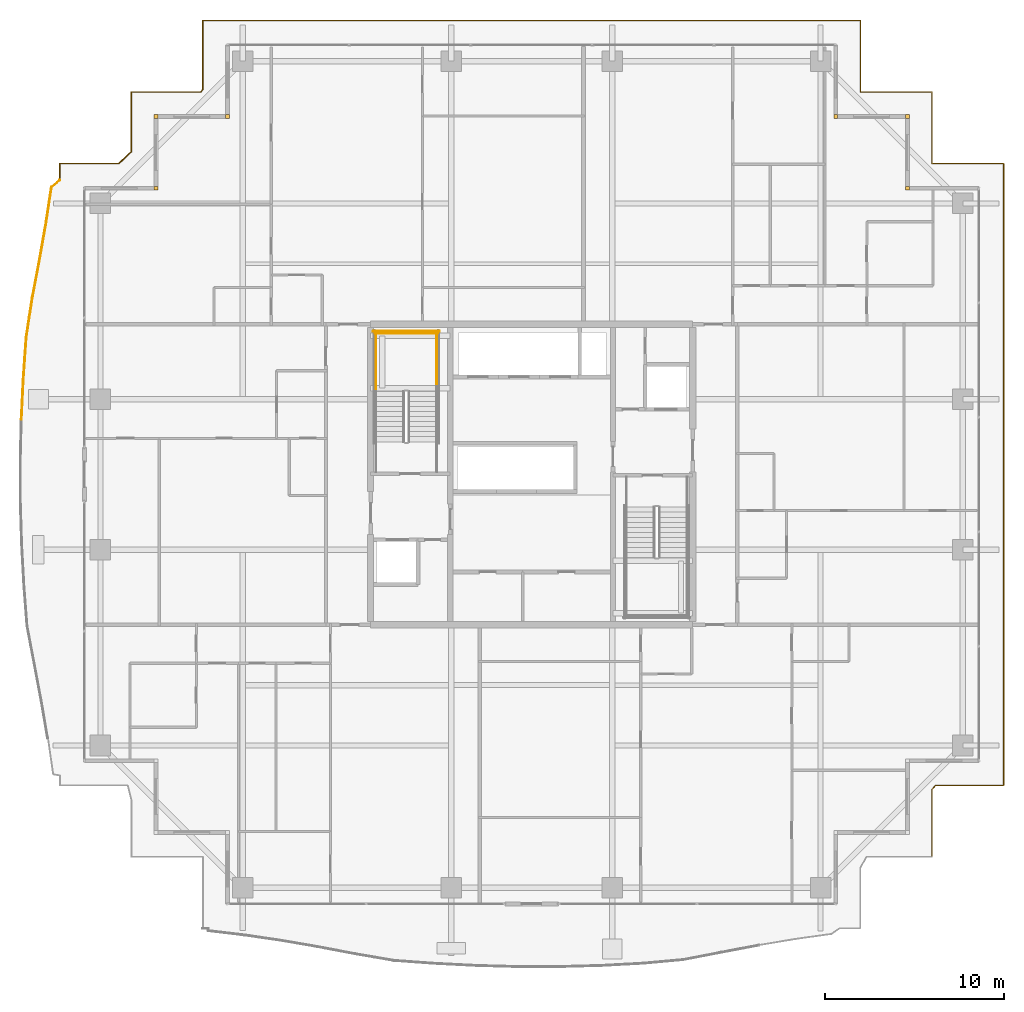
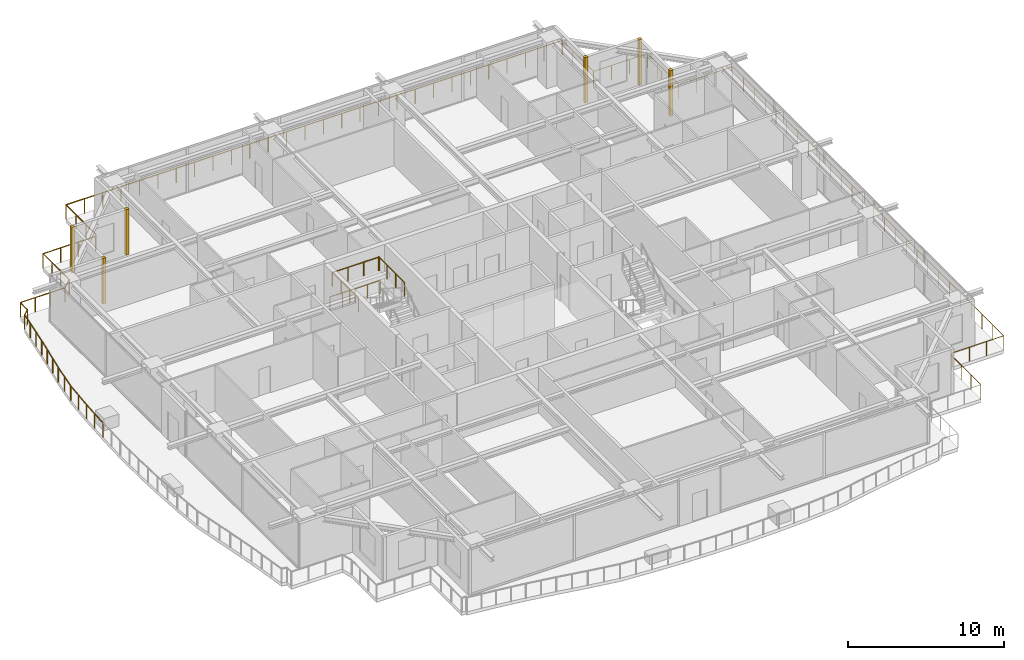
# One storey, part 35 of 35: 7 railings, 6 coverings.
"""IFC4 building model written with IfcOpenShell, lengths in metres."""

import ifcopenshell
import ifcopenshell.guid

model = None  # the IFC model being written
_history = None  # IfcOwnerHistory: only IFC2X3 demands one
_inside = {}  # id of a spatial element -> (the spatial element, [elements in it])
_under = {}  # id of a project, library or spatial element -> (it, [spatial elements below it])
_declared = {}  # id of a project -> (the project, [libraries it declares])
_typed = {}  # id of a type object -> (the type object, [elements of that type])
_made_of = {}  # id of a material, layer set ... -> (it, [elements and type objects made of it])


def new_model(schema):
    """Start an empty IFC model of exactly this schema.

    Asked for "IFC4X3", IfcOpenShell would pick the latest addendum, in which some entities
    have other attributes; the version numbers below select the first issue.
    IFC2X3 requires an IfcOwnerHistory on every rooted entity: one is made here for all.
    """
    global model, _history
    if schema == "IFC4X3":
        model = ifcopenshell.file(schema_version=(4, 3, 0, 0))
    else:
        model = ifcopenshell.file(schema=schema)
    _inside.clear()
    _under.clear()
    _declared.clear()
    _typed.clear()
    _made_of.clear()
    _history = None
    if model.schema == "IFC2X3":
        org = make("IfcOrganization", Name="unknown")
        user = make(
            "IfcPersonAndOrganization",
            ThePerson=make("IfcPerson", FamilyName="unknown"),
            TheOrganization=org,
        )
        app = make(
            "IfcApplication",
            ApplicationDeveloper=org,
            Version="unknown",
            ApplicationFullName="unknown",
            ApplicationIdentifier="unknown",
        )
        _history = make(
            "IfcOwnerHistory",
            OwningUser=user,
            OwningApplication=app,
            ChangeAction="ADDED",
            CreationDate=0,
        )
    return model


def make(cls, **values):
    """One entity of the class cls with the attributes given. An attribute that is None is left unset."""
    return model.create_entity(
        cls, **{name: value for name, value in values.items() if value is not None}
    )


def rooted(cls, **values):
    """An entity with a GlobalId (a new one), such as an element, a storey or a relation."""
    return make(cls, GlobalId=ifcopenshell.guid.new(), OwnerHistory=_history, **values)


def si_unit(unit_type, name, prefix=None):
    """IfcSIUnit, for example si_unit("LENGTHUNIT", "METRE", prefix="MILLI")."""
    return make("IfcSIUnit", UnitType=unit_type, Prefix=prefix, Name=name)


def assignment(units):
    """IfcUnitAssignment: the units of a project."""
    return None if units is None else make("IfcUnitAssignment", Units=units)


def point(xyz):
    """IfcCartesianPoint."""
    return None if xyz is None else make("IfcCartesianPoint", Coordinates=xyz)


def direction(xyz):
    """IfcDirection."""
    return None if xyz is None else make("IfcDirection", DirectionRatios=xyz)


def frame(location, z_axis=None, x_axis=None):
    """IfcAxis2Placement3D, a coordinate frame: its origin and axes. An axis left out is left unset."""
    return make(
        "IfcAxis2Placement3D",
        Location=point(location),
        Axis=direction(z_axis),
        RefDirection=direction(x_axis),
    )


def frame_2d(location, x_axis=None):
    """IfcAxis2Placement2D, a coordinate frame in the plane: its origin and x axis."""
    return make(
        "IfcAxis2Placement2D", Location=point(location), RefDirection=direction(x_axis)
    )


def origin():
    """The frame at (0, 0, 0) with its axes left unset."""
    return frame((0.0, 0.0, 0.0))


def origin_2d():
    """The frame at (0, 0) in the plane with its x axis left unset."""
    return frame_2d((0.0, 0.0))


def place(relative_to, where):
    """IfcLocalPlacement: puts the frame where relative to a parent placement (None: the world)."""
    return make(
        "IfcLocalPlacement", PlacementRelTo=relative_to, RelativePlacement=where
    )


def context(
    kind, dimensions, precision=None, world=None, true_north=None, identifier=None
):
    """IfcGeometricRepresentationContext, for example the 3D "Model" context."""
    return make(
        "IfcGeometricRepresentationContext",
        ContextIdentifier=identifier,
        ContextType=kind,
        CoordinateSpaceDimension=dimensions,
        Precision=precision,
        WorldCoordinateSystem=world,
        TrueNorth=true_north,
    )


def subcontext(parent, identifier, kind, view, scale=None):
    """IfcGeometricRepresentationSubContext, for example "Body" below "Model"."""
    return make(
        "IfcGeometricRepresentationSubContext",
        ContextIdentifier=identifier,
        ContextType=kind,
        ParentContext=parent,
        TargetScale=scale,
        TargetView=view,
    )


def project(units=None, contexts=None):
    """IfcProject with its units and contexts."""
    return rooted(
        "IfcProject",
        Name="project",
        RepresentationContexts=contexts,
        UnitsInContext=assignment(units),
    )


def spatial(cls, under=None, at=None, **own):
    """A site, building, storey or space (cls), placed at a placement, below another one or the project."""
    s = rooted(cls, ObjectPlacement=at, **own)
    if under is not None:
        _under.setdefault(under.id(), (under, []))[1].append(s)
    return s


def profile(cls, at=None, kind="AREA", **sizes):
    """A parametric profile (cls). Its sizes go by their IFC names, for example OverallWidth=200.0."""
    return make(cls, ProfileType=kind, Position=at, **sizes)


def rectangle(**sizes):
    """IfcRectangleProfileDef."""
    return profile("IfcRectangleProfileDef", **sizes)


def circle(**sizes):
    """IfcCircleProfileDef."""
    return profile("IfcCircleProfileDef", **sizes)


def extrude(swept, where, along, depth):
    """IfcExtrudedAreaSolid: the profile swept, set in the frame where, extruded along a direction by depth."""
    return make(
        "IfcExtrudedAreaSolid",
        SweptArea=swept,
        Position=where,
        ExtrudedDirection=direction(along),
        Depth=depth,
    )


def shape(context_of_items, identifier, shape_type, items):
    """IfcShapeRepresentation: the items that make up one representation, for example the "Body"."""
    return make(
        "IfcShapeRepresentation",
        ContextOfItems=context_of_items,
        RepresentationIdentifier=identifier,
        RepresentationType=shape_type,
        Items=items,
    )


def source(mapping_origin, context_of_items, identifier, shape_type, items):
    """IfcRepresentationMap: a shape defined once, which mapped items show again and again."""
    return make(
        "IfcRepresentationMap",
        MappingOrigin=mapping_origin,
        MappedRepresentation=shape(context_of_items, identifier, shape_type, items),
    )


def transform(
    local_origin,
    x_axis=None,
    y_axis=None,
    z_axis=None,
    scale=None,
    scale2=None,
    scale3=None,
    uniform=True,
):
    """IfcCartesianTransformationOperator3D, or its non-uniform kind. x_axis, y_axis, z_axis: its Axis1, 2, 3."""
    if uniform:
        return make(
            "IfcCartesianTransformationOperator3D",
            Axis1=direction(x_axis),
            Axis2=direction(y_axis),
            LocalOrigin=point(local_origin),
            Scale=scale,
            Axis3=direction(z_axis),
        )
    return make(
        "IfcCartesianTransformationOperator3DnonUniform",
        Axis1=direction(x_axis),
        Axis2=direction(y_axis),
        LocalOrigin=point(local_origin),
        Scale=scale,
        Axis3=direction(z_axis),
        Scale2=scale2,
        Scale3=scale3,
    )


def mapped(mapping_source, mapping_target):
    """IfcMappedItem: shows the shape of a source again, moved by a transform."""
    return make(
        "IfcMappedItem", MappingSource=mapping_source, MappingTarget=mapping_target
    )


def material(Name=None, Category=None):
    """IfcMaterial."""
    return make("IfcMaterial", Name=Name, Category=Category)


def layer(
    of_material, thickness, ventilated=None, Name=None, Category=None, Priority=None
):
    """IfcMaterialLayer: one layer of a wall or slab, of a material (None: an air gap)."""
    return make(
        "IfcMaterialLayer",
        Material=of_material,
        LayerThickness=thickness,
        IsVentilated=ventilated,
        Name=Name,
        Category=Category,
        Priority=Priority,
    )


def layer_set(layers, Name=None):
    """IfcMaterialLayerSet."""
    return make("IfcMaterialLayerSet", MaterialLayers=layers, LayerSetName=Name)


def made_of(thing, what):
    """Note that an element or type object is made of a material, layer set ...; save() writes the relation."""
    if what is not None:
        _made_of.setdefault(what.id(), (what, []))[1].append(thing)
    return thing


def type_object(cls, material=None, **own):
    """A type object (cls), such as IfcWallType, which elements share."""
    return made_of(rooted(cls, **own), material)


def element(
    cls,
    number,
    at=None,
    inside=None,
    cuts=None,
    type_object=None,
    material=None,
    context=None,
    identifier="Body",
    shape_type=None,
    held_by="IfcProductDefinitionShape",
    body=None,
    shapes=None,
    **own,
):
    """One element of the class cls, such as IfcWall. Its Tag is "e" and its number.

    at: its placement. inside: the storey or other place that contains it. cuts: it is an
    opening in that element (IfcRelVoidsElement). A single representation is given by context,
    identifier, shape_type and body (its items); several are given by shapes. held_by: the class
    of the entity that holds the representations. save() writes the other relations.
    """
    e = rooted(cls, Tag="e%d" % number, ObjectPlacement=at, **own)
    if body is not None:
        shapes = [shape(context, identifier, shape_type, body)]
    if shapes is not None:
        e.Representation = make(held_by, Representations=shapes)
    if inside is not None:
        _inside.setdefault(inside.id(), (inside, []))[1].append(e)
    if cuts is not None:
        rooted(
            "IfcRelVoidsElement", RelatingBuildingElement=cuts, RelatedOpeningElement=e
        )
    if type_object is not None:
        _typed.setdefault(type_object.id(), (type_object, []))[1].append(e)
    return made_of(e, material)


def aggregate(whole, parts):
    """IfcRelAggregates: a whole, such as a stair, and the parts it consists of."""
    return rooted("IfcRelAggregates", RelatingObject=whole, RelatedObjects=parts)


def save(model, path):
    """Write the relations noted so far, then the file.

    IfcRelAggregates (storeys below a building ...), IfcRelContainedInSpatialStructure (elements
    in a storey), IfcRelDefinesByType, IfcRelAssociatesMaterial and IfcRelDeclares: one each for
    every whole, place, type object, material and project.
    """
    for whole, parts in _under.values():
        aggregate(whole, parts)
    for where, things in _inside.values():
        rooted(
            "IfcRelContainedInSpatialStructure",
            RelatedElements=things,
            RelatingStructure=where,
        )
    for kind, things in _typed.values():
        rooted("IfcRelDefinesByType", RelatedObjects=things, RelatingType=kind)
    for what, things in _made_of.values():
        rooted("IfcRelAssociatesMaterial", RelatedObjects=things, RelatingMaterial=what)
    for by, libraries in _declared.values():
        rooted("IfcRelDeclares", RelatingContext=by, RelatedDefinitions=libraries)
    model.write(path)


model = new_model("IFC4")

# Units and contexts
model_context = context("Model", 3, precision=1e-05, world=origin(), true_north=direction((0.0, 1.0)))
body_context = subcontext(model_context, "Body", "Model", "MODEL_VIEW")
ifc_project = project(units=[si_unit("LENGTHUNIT", "METRE"), si_unit("AREAUNIT", "SQUARE_METRE"), si_unit("VOLUMEUNIT", "CUBIC_METRE"), si_unit("PLANEANGLEUNIT", "RADIAN"), si_unit("MASSUNIT", "GRAM", prefix="KILO")], contexts=[model_context])

# Site, building, storey
site_placement = place(None, origin())
site = spatial("IfcSite", under=ifc_project, at=site_placement, CompositionType="ELEMENT")
building_placement = place(site_placement, origin())
building = spatial("IfcBuilding", under=site, at=building_placement, Name="Serunith Strait Residences", CompositionType="ELEMENT")
storey_placement = place(building_placement, frame((0.0, 0.0, 210.449951171875)))
storey = spatial("IfcBuildingStorey", under=building, at=storey_placement, Name="L52", CompositionType="ELEMENT", Elevation=210.449951171875)

# Railings
ifc_material_1 = material(Name="Stainless Steel & Laminated Glass Balustrade", Category="steel")
railing_type_1 = type_object("IfcRailingType", Name="RLG-BALC-1150", PredefinedType="BALUSTRADE", material=ifc_material_1)
railing_1_placement = place(storey_placement, frame((3.88232421875, 28.289306640625, -0.050048828125)))
element("IfcRailing", 1, at=railing_1_placement, inside=storey, type_object=railing_type_1, Name="L52 Swirling Balcony Perimeter Balustrade 3", PredefinedType="BALUSTRADE", context=body_context, shape_type="SweptSolid", body=[
    extrude(circle(Radius=0.02392578125, at=origin_2d()), frame((0.0, 0.001953125, 1.1259765625), z_axis=(0.048820260477, 0.998807580151, 0.0), x_axis=(-0.998807580151, 0.048820260477, 0.0)), (0.0, 0.0, 1.0), 2.306396484375),
    extrude(circle(Radius=0.02392578125, at=origin_2d()), frame((0.113037109375, 2.3095703125, 1.1259765625), z_axis=(0.069756729847, 0.997564032351, 0.0), x_axis=(-0.997564032351, 0.069756729847, 0.0)), (0.0, 0.0, 1.0), 2.27783203125),
    extrude(circle(Radius=0.02392578125, at=origin_2d()), frame((0.272216796875, 4.5859375, 1.1259765625), z_axis=(0.151974309737, 0.98838444402, 0.0), x_axis=(-0.98838444402, 0.151974309737, 0.0)), (0.0, 0.0, 1.0), 2.209716796875),
    extrude(circle(Radius=0.02392578125, at=origin_2d()), frame((0.60888671875, 6.77392578125, 1.1259765625), z_axis=(0.186839873105, 0.982390381578, 0.0), x_axis=(-0.982390381578, 0.186839873105, 0.0)), (0.0, 0.0, 1.0), 2.138916015625),
    extrude(circle(Radius=0.02392578125, at=origin_2d()), frame((1.009033203125, 8.879150390625, 1.1259765625), z_axis=(0.173159168295, 0.984893853385, 0.0), x_axis=(-0.984893853385, 0.173159168295, 0.0)), (0.0, 0.0, 1.0), 2.0869140625),
    extrude(circle(Radius=0.02392578125, at=origin_2d()), frame((1.37109375, 10.9384765625, 1.1259765625), z_axis=(0.150111437986, 0.988669083256, 0.0), x_axis=(-0.988669083256, 0.150111437986, 0.0)), (0.0, 0.0, 1.0), 2.0517578125),
    extrude(circle(Radius=0.02392578125, at=origin_2d()), frame((1.680908203125, 12.97021484375, 1.1259765625), z_axis=(0.764837226142, 0.644223577267, 0.0), x_axis=(-0.644223577267, 0.764837226142, 0.0)), (0.0, 0.0, 1.0), 0.59521484375),
    extrude(circle(Radius=0.02099609375, at=origin_2d()), origin(), (0.0, 0.0, 1.0), 1.099853515625),
    extrude(circle(Radius=0.02099609375, at=origin_2d()), frame((0.056396484375, 1.15380859375, 0.0)), (0.0, 0.0, 1.0), 1.099853515625),
    extrude(circle(Radius=0.02099609375, at=origin_2d()), frame((0.11279296875, 2.3076171875, 0.0)), (0.0, 0.0, 1.0), 1.099853515625),
    extrude(circle(Radius=0.02099609375, at=origin_2d()), frame((0.1923828125, 3.44580078125, 0.0)), (0.0, 0.0, 1.0), 1.099853515625),
    extrude(circle(Radius=0.02099609375, at=origin_2d()), frame((0.27197265625, 4.583984375, 0.0)), (0.0, 0.0, 1.0), 1.099853515625),
    extrude(circle(Radius=0.02099609375, at=origin_2d()), frame((0.440185546875, 5.677978515625, 0.0)), (0.0, 0.0, 1.0), 1.099853515625),
    extrude(circle(Radius=0.02099609375, at=origin_2d()), frame((0.6083984375, 6.77197265625, 0.0)), (0.0, 0.0, 1.0), 1.099853515625),
    extrude(circle(Radius=0.02099609375, at=origin_2d()), frame((0.80859375, 7.82470703125, 0.0)), (0.0, 0.0, 1.0), 1.099853515625),
    extrude(circle(Radius=0.02099609375, at=origin_2d()), frame((1.0087890625, 8.877197265625, 0.0)), (0.0, 0.0, 1.0), 1.099853515625),
    extrude(circle(Radius=0.02099609375, at=origin_2d()), frame((1.18994140625, 9.90673828125, 0.0)), (0.0, 0.0, 1.0), 1.099853515625),
    extrude(circle(Radius=0.02099609375, at=origin_2d()), frame((1.370849609375, 10.9365234375, 0.0)), (0.0, 0.0, 1.0), 1.099853515625),
    extrude(circle(Radius=0.02099609375, at=origin_2d()), frame((1.525146484375, 11.95263671875, 0.0)), (0.0, 0.0, 1.0), 1.099853515625),
    extrude(circle(Radius=0.02099609375, at=origin_2d()), frame((1.679443359375, 12.968994140625, 0.0)), (0.0, 0.0, 1.0), 1.099853515625),
    extrude(circle(Radius=0.02099609375, at=origin_2d()), frame((2.1376953125, 13.35498046875, 0.0)), (0.0, 0.0, 1.0), 1.099853515625),
])
railing_2_placement = place(storey_placement, frame((6.02001953125, 41.644287109375, -0.050048828125)))
element("IfcRailing", 2, at=railing_2_placement, inside=storey, type_object=railing_type_1, Name="L52 Swirling Balcony Perimeter Balustrade 4", PredefinedType="BALUSTRADE", context=body_context, shape_type="SweptSolid", body=[
    extrude(circle(Radius=0.02392578125, at=origin_2d()), frame((0.0, 0.001953125, 1.1259765625), z_axis=(0.0, 1.0, 0.0), x_axis=(-1.0, 0.0, 0.0)), (0.0, 0.0, 1.0), 0.931884765625),
    extrude(circle(Radius=0.02392578125, at=origin_2d()), frame((0.001953125, 0.935791015625, 1.1259765625), z_axis=(1.0, 0.0, 0.0), x_axis=(0.0, 1.0, 0.0)), (0.0, 0.0, 1.0), 3.295654296875),
    extrude(circle(Radius=0.02392578125, at=origin_2d()), frame((3.301025390625, 0.937255859375, 1.1259765625), z_axis=(0.731402754237, 0.681945753777, 0.0), x_axis=(-0.681945753777, 0.731402754237, 0.0)), (0.0, 0.0, 1.0), 0.95361328125),
    extrude(circle(Radius=0.02392578125, at=origin_2d()), frame((4.0, 1.5908203125, 1.1259765625), z_axis=(0.0, 1.0, 0.0), x_axis=(-1.0, 0.0, 0.0)), (0.0, 0.0, 1.0), 3.343017578125),
    extrude(circle(Radius=0.02392578125, at=origin_2d()), frame((4.001953125, 4.935791015625, 1.1259765625), z_axis=(1.0, 0.0, 0.0), x_axis=(0.0, 1.0, 0.0)), (0.0, 0.0, 1.0), 3.89501953125),
    extrude(circle(Radius=0.02392578125, at=origin_2d()), frame((7.89990234375, 4.9375, 1.1259765625), z_axis=(0.547356223896, 0.836899733638, 0.0), x_axis=(-0.836899733638, 0.547356223896, 0.0)), (0.0, 0.0, 1.0), 0.1806640625),
    extrude(circle(Radius=0.02392578125, at=origin_2d()), frame((8.0, 5.09228515625, 1.1259765625), z_axis=(0.0, 1.0, 0.0), x_axis=(-1.0, 0.0, 0.0)), (0.0, 0.0, 1.0), 3.841552734375),
    extrude(circle(Radius=0.02392578125, at=origin_2d()), frame((8.001953125, 8.935791015625, 1.1259765625), z_axis=(1.0, 0.0, 0.0), x_axis=(0.0, 1.0, 0.0)), (0.0, 0.0, 1.0), 36.756103515625),
    extrude(circle(Radius=0.02099609375, at=origin_2d()), origin(), (0.0, 0.0, 1.0), 1.099853515625),
    extrude(circle(Radius=0.02099609375, at=origin_2d()), frame((0.0, 0.935791015625, 0.0)), (0.0, 0.0, 1.0), 1.099853515625),
    extrude(circle(Radius=0.02099609375, at=origin_2d()), frame((1.099853515625, 0.935791015625, 0.0)), (0.0, 0.0, 1.0), 1.099853515625),
    extrude(circle(Radius=0.02099609375, at=origin_2d()), frame((2.19970703125, 0.935791015625, 0.0)), (0.0, 0.0, 1.0), 1.099853515625),
    extrude(circle(Radius=0.02099609375, at=origin_2d()), frame((3.299560546875, 0.935791015625, 0.0)), (0.0, 0.0, 1.0), 1.099853515625),
    extrude(circle(Radius=0.02099609375, at=origin_2d()), frame((4.0, 1.5888671875, 0.0)), (0.0, 0.0, 1.0), 1.099853515625),
    extrude(circle(Radius=0.02099609375, at=origin_2d()), frame((4.0, 2.70458984375, 0.0)), (0.0, 0.0, 1.0), 1.099853515625),
    extrude(circle(Radius=0.02099609375, at=origin_2d()), frame((4.0, 3.820068359375, 0.0)), (0.0, 0.0, 1.0), 1.099853515625),
    extrude(circle(Radius=0.02099609375, at=origin_2d()), frame((4.0, 4.935791015625, 0.0)), (0.0, 0.0, 1.0), 1.099853515625),
    extrude(circle(Radius=0.02099609375, at=origin_2d()), frame((5.299560546875, 4.935791015625, 0.0)), (0.0, 0.0, 1.0), 1.099853515625),
    extrude(circle(Radius=0.02099609375, at=origin_2d()), frame((6.599365234375, 4.935791015625, 0.0)), (0.0, 0.0, 1.0), 1.099853515625),
    extrude(circle(Radius=0.02099609375, at=origin_2d()), frame((7.89892578125, 4.935791015625, 0.0)), (0.0, 0.0, 1.0), 1.099853515625),
    extrude(circle(Radius=0.02099609375, at=origin_2d()), frame((8.0, 5.09033203125, 0.0)), (0.0, 0.0, 1.0), 1.099853515625),
    extrude(circle(Radius=0.02099609375, at=origin_2d()), frame((8.0, 6.3720703125, 0.0)), (0.0, 0.0, 1.0), 1.099853515625),
    extrude(circle(Radius=0.02099609375, at=origin_2d()), frame((8.0, 7.654052734375, 0.0)), (0.0, 0.0, 1.0), 1.099853515625),
    extrude(circle(Radius=0.02099609375, at=origin_2d()), frame((8.0, 8.935791015625, 0.0)), (0.0, 0.0, 1.0), 1.099853515625),
    extrude(circle(Radius=0.02099609375, at=origin_2d()), frame((9.361572265625, 8.935791015625, 0.0)), (0.0, 0.0, 1.0), 1.099853515625),
    extrude(circle(Radius=0.02099609375, at=origin_2d()), frame((10.722900390625, 8.935791015625, 0.0)), (0.0, 0.0, 1.0), 1.099853515625),
    extrude(circle(Radius=0.02099609375, at=origin_2d()), frame((12.08447265625, 8.935791015625, 0.0)), (0.0, 0.0, 1.0), 1.099853515625),
    extrude(circle(Radius=0.02099609375, at=origin_2d()), frame((13.446044921875, 8.935791015625, 0.0)), (0.0, 0.0, 1.0), 1.099853515625),
    extrude(circle(Radius=0.02099609375, at=origin_2d()), frame((14.807373046875, 8.935791015625, 0.0)), (0.0, 0.0, 1.0), 1.099853515625),
    extrude(circle(Radius=0.02099609375, at=origin_2d()), frame((16.1689453125, 8.935791015625, 0.0)), (0.0, 0.0, 1.0), 1.099853515625),
    extrude(circle(Radius=0.02099609375, at=origin_2d()), frame((17.5302734375, 8.935791015625, 0.0)), (0.0, 0.0, 1.0), 1.099853515625),
    extrude(circle(Radius=0.02099609375, at=origin_2d()), frame((18.891845703125, 8.935791015625, 0.0)), (0.0, 0.0, 1.0), 1.099853515625),
    extrude(circle(Radius=0.02099609375, at=origin_2d()), frame((20.25341796875, 8.935791015625, 0.0)), (0.0, 0.0, 1.0), 1.099853515625),
    extrude(circle(Radius=0.02099609375, at=origin_2d()), frame((21.61474609375, 8.935791015625, 0.0)), (0.0, 0.0, 1.0), 1.099853515625),
    extrude(circle(Radius=0.02099609375, at=origin_2d()), frame((22.976318359375, 8.935791015625, 0.0)), (0.0, 0.0, 1.0), 1.099853515625),
    extrude(circle(Radius=0.02099609375, at=origin_2d()), frame((24.337890625, 8.935791015625, 0.0)), (0.0, 0.0, 1.0), 1.099853515625),
    extrude(circle(Radius=0.02099609375, at=origin_2d()), frame((25.69921875, 8.935791015625, 0.0)), (0.0, 0.0, 1.0), 1.099853515625),
    extrude(circle(Radius=0.02099609375, at=origin_2d()), frame((27.060791015625, 8.935791015625, 0.0)), (0.0, 0.0, 1.0), 1.099853515625),
    extrude(circle(Radius=0.02099609375, at=origin_2d()), frame((28.422119140625, 8.935791015625, 0.0)), (0.0, 0.0, 1.0), 1.099853515625),
    extrude(circle(Radius=0.02099609375, at=origin_2d()), frame((29.78369140625, 8.935791015625, 0.0)), (0.0, 0.0, 1.0), 1.099853515625),
    extrude(circle(Radius=0.02099609375, at=origin_2d()), frame((31.145263671875, 8.935791015625, 0.0)), (0.0, 0.0, 1.0), 1.099853515625),
    extrude(circle(Radius=0.02099609375, at=origin_2d()), frame((32.506591796875, 8.935791015625, 0.0)), (0.0, 0.0, 1.0), 1.099853515625),
    extrude(circle(Radius=0.02099609375, at=origin_2d()), frame((33.8681640625, 8.935791015625, 0.0)), (0.0, 0.0, 1.0), 1.099853515625),
    extrude(circle(Radius=0.02099609375, at=origin_2d()), frame((35.229736328125, 8.935791015625, 0.0)), (0.0, 0.0, 1.0), 1.099853515625),
    extrude(circle(Radius=0.02099609375, at=origin_2d()), frame((36.591064453125, 8.935791015625, 0.0)), (0.0, 0.0, 1.0), 1.099853515625),
    extrude(circle(Radius=0.02099609375, at=origin_2d()), frame((37.95263671875, 8.935791015625, 0.0)), (0.0, 0.0, 1.0), 1.099853515625),
    extrude(circle(Radius=0.02099609375, at=origin_2d()), frame((39.31396484375, 8.935791015625, 0.0)), (0.0, 0.0, 1.0), 1.099853515625),
    extrude(circle(Radius=0.02099609375, at=origin_2d()), frame((40.675537109375, 8.935791015625, 0.0)), (0.0, 0.0, 1.0), 1.099853515625),
    extrude(circle(Radius=0.02099609375, at=origin_2d()), frame((42.037109375, 8.935791015625, 0.0)), (0.0, 0.0, 1.0), 1.099853515625),
    extrude(circle(Radius=0.02099609375, at=origin_2d()), frame((43.3984375, 8.935791015625, 0.0)), (0.0, 0.0, 1.0), 1.099853515625),
    extrude(circle(Radius=0.02099609375, at=origin_2d()), frame((44.760009765625, 8.935791015625, 0.0)), (0.0, 0.0, 1.0), 1.099853515625),
])
railing_3_placement = place(storey_placement, frame((50.780029296875, 50.580078125, -0.050048828125)))
element("IfcRailing", 3, at=railing_3_placement, inside=storey, type_object=railing_type_1, Name="L52 Swirling Balcony Perimeter Balustrade 5", PredefinedType="BALUSTRADE", context=body_context, shape_type="SweptSolid", body=[
    extrude(circle(Radius=0.02392578125, at=origin_2d()), frame((0.0, -0.001953125, 1.1259765625), z_axis=(0.0, -1.0, 0.0), x_axis=(1.0, 0.0, 0.0)), (0.0, 0.0, 1.0), 3.99609375),
    extrude(circle(Radius=0.02392578125, at=origin_2d()), frame((0.001953125, -4.0, 1.1259765625), z_axis=(1.0, 0.0, 0.0), x_axis=(0.0, 1.0, 0.0)), (0.0, 0.0, 1.0), 3.99609375),
    extrude(circle(Radius=0.02392578125, at=origin_2d()), frame((4.0, -4.001953125, 1.1259765625), z_axis=(0.0, -1.0, 0.0), x_axis=(1.0, 0.0, 0.0)), (0.0, 0.0, 1.0), 3.99609375),
    extrude(circle(Radius=0.02392578125, at=origin_2d()), frame((4.001953125, -8.0, 1.1259765625), z_axis=(1.0, 0.0, 0.0), x_axis=(0.0, 1.0, 0.0)), (0.0, 0.0, 1.0), 3.99609375),
    extrude(circle(Radius=0.02392578125, at=origin_2d()), frame((8.0, -8.001953125, 1.1259765625), z_axis=(0.0, -1.0, 0.0), x_axis=(1.0, 0.0, 0.0)), (0.0, 0.0, 1.0), 34.756103515625),
    extrude(circle(Radius=0.02392578125, at=origin_2d()), frame((7.998046875, -42.760009765625, 1.1259765625), z_axis=(-1.0, 0.0, 0.0), x_axis=(0.0, -1.0, 0.0)), (0.0, 0.0, 1.0), 3.801025390625),
    extrude(circle(Radius=0.02392578125, at=origin_2d()), frame((4.19384765625, -42.761474609375, 1.1259765625), z_axis=(-0.659789800433, -0.751450210756, 0.0), x_axis=(0.751450210756, -0.659789800433, 0.0)), (0.0, 0.0, 1.0), 0.291748046875),
    extrude(circle(Radius=0.02392578125, at=origin_2d()), frame((4.0, -42.984130859375, 1.1259765625), z_axis=(0.0, -1.0, 0.0), x_axis=(1.0, 0.0, 0.0)), (0.0, 0.0, 1.0), 3.77392578125),
    extrude(circle(Radius=0.02099609375, at=origin_2d()), origin(), (0.0, 0.0, 1.0), 1.099853515625),
    extrude(circle(Radius=0.02099609375, at=origin_2d()), frame((0.0, -1.333251953125, 0.0)), (0.0, 0.0, 1.0), 1.099853515625),
    extrude(circle(Radius=0.02099609375, at=origin_2d()), frame((0.0, -2.666748046875, 0.0)), (0.0, 0.0, 1.0), 1.099853515625),
    extrude(circle(Radius=0.02099609375, at=origin_2d()), frame((0.0, -4.0, 0.0)), (0.0, 0.0, 1.0), 1.099853515625),
    extrude(circle(Radius=0.02099609375, at=origin_2d()), frame((1.333251953125, -4.0, 0.0)), (0.0, 0.0, 1.0), 1.099853515625),
    extrude(circle(Radius=0.02099609375, at=origin_2d()), frame((2.666748046875, -4.0, 0.0)), (0.0, 0.0, 1.0), 1.099853515625),
    extrude(circle(Radius=0.02099609375, at=origin_2d()), frame((4.0, -4.0, 0.0)), (0.0, 0.0, 1.0), 1.099853515625),
    extrude(circle(Radius=0.02099609375, at=origin_2d()), frame((4.0, -5.333251953125, 0.0)), (0.0, 0.0, 1.0), 1.099853515625),
    extrude(circle(Radius=0.02099609375, at=origin_2d()), frame((4.0, -6.666748046875, 0.0)), (0.0, 0.0, 1.0), 1.099853515625),
    extrude(circle(Radius=0.02099609375, at=origin_2d()), frame((4.0, -8.0, 0.0)), (0.0, 0.0, 1.0), 1.099853515625),
    extrude(circle(Radius=0.02099609375, at=origin_2d()), frame((5.333251953125, -8.0, 0.0)), (0.0, 0.0, 1.0), 1.099853515625),
    extrude(circle(Radius=0.02099609375, at=origin_2d()), frame((6.666748046875, -8.0, 0.0)), (0.0, 0.0, 1.0), 1.099853515625),
    extrude(circle(Radius=0.02099609375, at=origin_2d()), frame((8.0, -8.0, 0.0)), (0.0, 0.0, 1.0), 1.099853515625),
    extrude(circle(Radius=0.02099609375, at=origin_2d()), frame((8.0, -9.390380859375, 0.0)), (0.0, 0.0, 1.0), 1.099853515625),
    extrude(circle(Radius=0.02099609375, at=origin_2d()), frame((8.0, -10.78076171875, 0.0)), (0.0, 0.0, 1.0), 1.099853515625),
    extrude(circle(Radius=0.02099609375, at=origin_2d()), frame((8.0, -12.171142578125, 0.0)), (0.0, 0.0, 1.0), 1.099853515625),
    extrude(circle(Radius=0.02099609375, at=origin_2d()), frame((8.0, -13.5615234375, 0.0)), (0.0, 0.0, 1.0), 1.099853515625),
    extrude(circle(Radius=0.02099609375, at=origin_2d()), frame((8.0, -14.951904296875, 0.0)), (0.0, 0.0, 1.0), 1.099853515625),
    extrude(circle(Radius=0.02099609375, at=origin_2d()), frame((8.0, -16.34228515625, 0.0)), (0.0, 0.0, 1.0), 1.099853515625),
    extrude(circle(Radius=0.02099609375, at=origin_2d()), frame((8.0, -17.73291015625, 0.0)), (0.0, 0.0, 1.0), 1.099853515625),
    extrude(circle(Radius=0.02099609375, at=origin_2d()), frame((8.0, -19.123291015625, 0.0)), (0.0, 0.0, 1.0), 1.099853515625),
    extrude(circle(Radius=0.02099609375, at=origin_2d()), frame((8.0, -20.513671875, 0.0)), (0.0, 0.0, 1.0), 1.099853515625),
    extrude(circle(Radius=0.02099609375, at=origin_2d()), frame((8.0, -21.904052734375, 0.0)), (0.0, 0.0, 1.0), 1.099853515625),
    extrude(circle(Radius=0.02099609375, at=origin_2d()), frame((8.0, -23.29443359375, 0.0)), (0.0, 0.0, 1.0), 1.099853515625),
    extrude(circle(Radius=0.02099609375, at=origin_2d()), frame((8.0, -24.684814453125, 0.0)), (0.0, 0.0, 1.0), 1.099853515625),
    extrude(circle(Radius=0.02099609375, at=origin_2d()), frame((8.0, -26.0751953125, 0.0)), (0.0, 0.0, 1.0), 1.099853515625),
    extrude(circle(Radius=0.02099609375, at=origin_2d()), frame((8.0, -27.465576171875, 0.0)), (0.0, 0.0, 1.0), 1.099853515625),
    extrude(circle(Radius=0.02099609375, at=origin_2d()), frame((8.0, -28.85595703125, 0.0)), (0.0, 0.0, 1.0), 1.099853515625),
    extrude(circle(Radius=0.02099609375, at=origin_2d()), frame((8.0, -30.246337890625, 0.0)), (0.0, 0.0, 1.0), 1.099853515625),
    extrude(circle(Radius=0.02099609375, at=origin_2d()), frame((8.0, -31.63671875, 0.0)), (0.0, 0.0, 1.0), 1.099853515625),
    extrude(circle(Radius=0.02099609375, at=origin_2d()), frame((8.0, -33.027099609375, 0.0)), (0.0, 0.0, 1.0), 1.099853515625),
    extrude(circle(Radius=0.02099609375, at=origin_2d()), frame((8.0, -34.417724609375, 0.0)), (0.0, 0.0, 1.0), 1.099853515625),
    extrude(circle(Radius=0.02099609375, at=origin_2d()), frame((8.0, -35.80810546875, 0.0)), (0.0, 0.0, 1.0), 1.099853515625),
    extrude(circle(Radius=0.02099609375, at=origin_2d()), frame((8.0, -37.198486328125, 0.0)), (0.0, 0.0, 1.0), 1.099853515625),
    extrude(circle(Radius=0.02099609375, at=origin_2d()), frame((8.0, -38.5888671875, 0.0)), (0.0, 0.0, 1.0), 1.099853515625),
    extrude(circle(Radius=0.02099609375, at=origin_2d()), frame((8.0, -39.979248046875, 0.0)), (0.0, 0.0, 1.0), 1.099853515625),
    extrude(circle(Radius=0.02099609375, at=origin_2d()), frame((8.0, -41.36962890625, 0.0)), (0.0, 0.0, 1.0), 1.099853515625),
    extrude(circle(Radius=0.02099609375, at=origin_2d()), frame((8.0, -42.760009765625, 0.0)), (0.0, 0.0, 1.0), 1.099853515625),
    extrude(circle(Radius=0.02099609375, at=origin_2d()), frame((6.731689453125, -42.760009765625, 0.0)), (0.0, 0.0, 1.0), 1.099853515625),
    extrude(circle(Radius=0.02099609375, at=origin_2d()), frame((5.46337890625, -42.760009765625, 0.0)), (0.0, 0.0, 1.0), 1.099853515625),
    extrude(circle(Radius=0.02099609375, at=origin_2d()), frame((4.195068359375, -42.760009765625, 0.0)), (0.0, 0.0, 1.0), 1.099853515625),
    extrude(circle(Radius=0.02099609375, at=origin_2d()), frame((4.0, -42.982177734375, 0.0)), (0.0, 0.0, 1.0), 1.099853515625),
    extrude(circle(Radius=0.02099609375, at=origin_2d()), frame((4.0, -44.241455078125, 0.0)), (0.0, 0.0, 1.0), 1.099853515625),
    extrude(circle(Radius=0.02099609375, at=origin_2d()), frame((4.0, -45.500732421875, 0.0)), (0.0, 0.0, 1.0), 1.099853515625),
    extrude(circle(Radius=0.02099609375, at=origin_2d()), frame((4.0, -46.760009765625, 0.0)), (0.0, 0.0, 1.0), 1.099853515625),
])
ifc_material_2 = material(Name="Brushed stainless steel 316L", Category="steel")
railing_type_2 = type_object("IfcRailingType", Name="RLG-STAIR-GUARD", PredefinedType="BALUSTRADE", material=ifc_material_2)
for number, where, name in (
    (4, (27.10009765625, 29.830078125, 1.925048828125), "L52 ST-1 stair guard 3"),
    (5, (23.699951171875, 29.830078125, 1.925048828125), "L52 ST-1 stair guard 4"),
):
    element("IfcRailing", number, at=place(storey_placement, frame(where)), inside=storey, type_object=railing_type_2, Name=name, PredefinedType="BALUSTRADE", context=body_context, shape_type="SweptSolid", body=[
        extrude(circle(Radius=0.02392578125, at=origin_2d()), frame((0.0, 0.001953125, 1.076171875), z_axis=(0.0, 1.0, 0.0), x_axis=(-1.0, 0.0, 0.0)), (0.0, 0.0, 1.0), 3.31591796875),
        extrude(circle(Radius=0.02099609375, at=origin_2d()), origin(), (0.0, 0.0, 1.0), 1.050048828125),
        extrude(circle(Radius=0.02099609375, at=origin_2d()), frame((0.0, 1.106689453125, 0.0)), (0.0, 0.0, 1.0), 1.050048828125),
        extrude(circle(Radius=0.02099609375, at=origin_2d()), frame((0.0, 2.213134765625, 0.0)), (0.0, 0.0, 1.0), 1.050048828125),
        extrude(circle(Radius=0.02099609375, at=origin_2d()), frame((0.0, 3.31982421875, 0.0)), (0.0, 0.0, 1.0), 1.050048828125),
    ])
railing_4_placement = place(storey_placement, frame((27.14990234375, 33.10009765625, 1.925048828125)))
element("IfcRailing", 6, at=railing_4_placement, inside=storey, type_object=railing_type_2, Name="L52 ST-1 stair guard 5", PredefinedType="BALUSTRADE", context=body_context, shape_type="SweptSolid", body=[
    extrude(circle(Radius=0.02392578125, at=origin_2d()), frame((-0.001953125, 0.0, 1.076171875), z_axis=(-1.0, 0.0, 0.0), x_axis=(0.0, -1.0, 0.0)), (0.0, 0.0, 1.0), 3.49609375),
    extrude(circle(Radius=0.02099609375, at=origin_2d()), origin(), (0.0, 0.0, 1.0), 1.050048828125),
    extrude(circle(Radius=0.02099609375, at=origin_2d()), frame((-1.166748046875, 0.0, 0.0)), (0.0, 0.0, 1.0), 1.050048828125),
    extrude(circle(Radius=0.02099609375, at=origin_2d()), frame((-2.333251953125, 0.0, 0.0)), (0.0, 0.0, 1.0), 1.050048828125),
    extrude(circle(Radius=0.02099609375, at=origin_2d()), frame((-3.5, 0.0, 0.0)), (0.0, 0.0, 1.0), 1.050048828125),
])
railing_5_placement = place(storey_placement, frame((27.25, 33.199951171875, 0.0)))
element("IfcRailing", 7, at=railing_5_placement, inside=storey, type_object=railing_type_2, Name="L52 ST-1 stair guard 12", PredefinedType="BALUSTRADE", context=body_context, shape_type="SweptSolid", body=[
    extrude(circle(Radius=0.02392578125, at=origin_2d()), frame((-0.001953125, 0.0, 1.076171875), z_axis=(-1.0, 0.0, 0.0), x_axis=(0.0, -1.0, 0.0)), (0.0, 0.0, 1.0), 3.696044921875),
    extrude(circle(Radius=0.02099609375, at=origin_2d()), origin(), (0.0, 0.0, 1.0), 1.050048828125),
    extrude(circle(Radius=0.02099609375, at=origin_2d()), frame((-0.925048828125, 0.0, 0.0)), (0.0, 0.0, 1.0), 1.050048828125),
    extrude(circle(Radius=0.02099609375, at=origin_2d()), frame((-1.85009765625, 0.0, 0.0)), (0.0, 0.0, 1.0), 1.050048828125),
    extrude(circle(Radius=0.02099609375, at=origin_2d()), frame((-2.77490234375, 0.0, 0.0)), (0.0, 0.0, 1.0), 1.050048828125),
    extrude(circle(Radius=0.02099609375, at=origin_2d()), frame((-3.699951171875, 0.0, 0.0)), (0.0, 0.0, 1.0), 1.050048828125),
])

# Coverings
ifc_material_3 = material(Name="Pale-Champagne Anodised Aluminium", Category="aluminium")
ifc_layer = layer(ifc_material_3, 0.219970703125, Name="Pale-Champagne Anodised Aluminium")
ifc_layer_set = layer_set([ifc_layer], Name="Pale-Champagne Anodised Aluminium")
covering_type = type_object("IfcCoveringType", Name="COV-CORN-TRIM", PredefinedType="CLADDING", material=ifc_layer_set)
shared_shape = source(origin(), body_context, "Body", "SweptSolid", [
    extrude(rectangle(XDim=0.221923828125, YDim=0.221923828125, at=origin_2d()), origin(), (0.0, 0.0, 1.0), 3.574951171875),
])
for number, where, z_axis, x_axis, name in (
    (8, (53.39990234375, 41.199951171875, 0.0), (0.0, 0.0, 1.0), (1.0, 0.0, 0.0), "L52 Girih Serrated Corner Trim Post 07"),
    (9, (53.39990234375, 45.199951171875, 0.0), (0.0, 0.0, 1.0), (1.0, 0.0, 0.0), "L52 Girih Serrated Corner Trim Post 08"),
    (10, (49.39990234375, 45.199951171875, 0.0), (0.0, 0.0, 1.0), (1.0, 0.0, 0.0), "L52 Girih Serrated Corner Trim Post 09"),
    (11, (15.39990234375, 45.199951171875, 0.0), (0.0, 0.0, 1.0), (1.0, 0.0, 0.0), "L52 Girih Serrated Corner Trim Post 12"),
    (12, (11.39990234375, 45.199951171875, 0.0), (0.0, 0.0, 1.0), (1.0, 0.0, 0.0), "L52 Girih Serrated Corner Trim Post 13"),
    (13, (11.39990234375, 41.199951171875, 0.0), (0.0, 0.0, 1.0), (1.0, 0.0, 0.0), "L52 Girih Serrated Corner Trim Post 14"),
):
    element("IfcCovering", number, at=place(storey_placement, frame(where, z_axis=z_axis, x_axis=x_axis)), inside=storey, type_object=covering_type, Name=name, PredefinedType="CLADDING", context=body_context, shape_type="MappedRepresentation", body=[
        mapped(shared_shape, transform((0.0, 0.0, 0.0), scale=1.0)),
    ])

save(model, "model.ifc")
